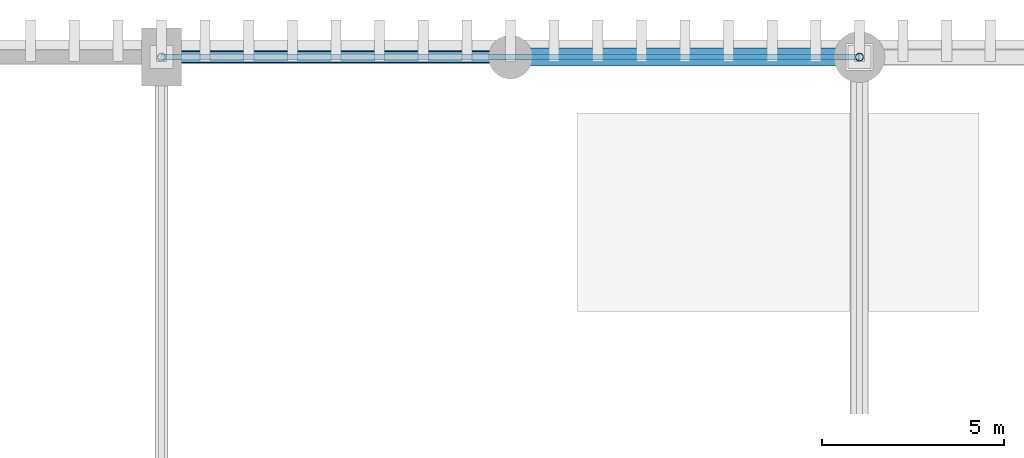
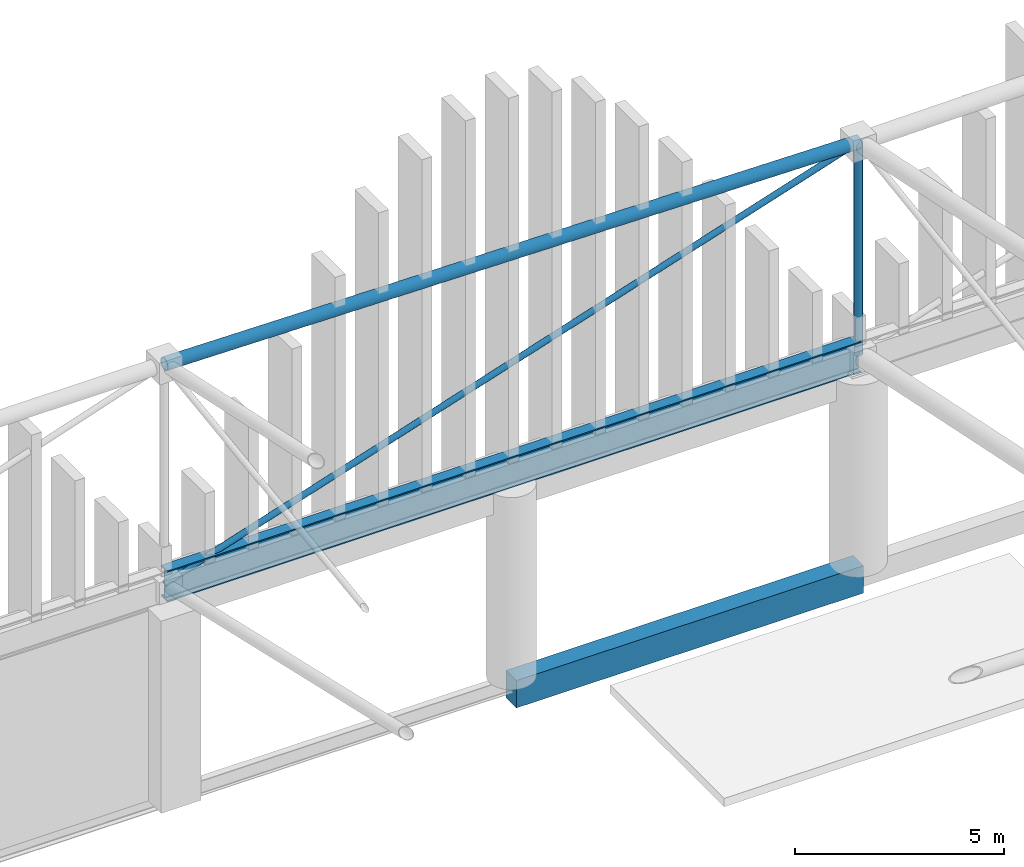
# One storey, part 128 of 193: 3 members, 2 beams.
"""IFC4 building model written with IfcOpenShell, lengths in metres."""

from ifc_helpers import new_model, si_unit, direction, frame, origin, origin_2d, place, context, subcontext, project, spatial, rectangle, hollow_circle, i_section, extrude, material, material_profile, profile_set, type_object, element, save


model = new_model("IFC4")

# Units and contexts
model_context = context("Model", 3, precision=1e-05, world=origin(), true_north=direction((0.0, 1.0)))
body_context = subcontext(model_context, "Body", "Model", "MODEL_VIEW")
ifc_project = project(units=[si_unit("LENGTHUNIT", "METRE"), si_unit("AREAUNIT", "SQUARE_METRE"), si_unit("VOLUMEUNIT", "CUBIC_METRE"), si_unit("PLANEANGLEUNIT", "RADIAN"), si_unit("MASSUNIT", "GRAM", prefix="KILO")], contexts=[model_context])

# Site, building, storey
site_placement = place(None, origin())
site = spatial("IfcSite", under=ifc_project, at=site_placement, CompositionType="ELEMENT")
building_placement = place(site_placement, origin())
building = spatial("IfcBuilding", under=site, at=building_placement, Name="Danafjord Basin Convention Centre", CompositionType="ELEMENT")
storey_placement = place(building_placement, frame((0.0, 0.0, 11.39990234375)))
storey = spatial("IfcBuildingStorey", under=building, at=storey_placement, Name="L02", CompositionType="ELEMENT", Elevation=11.39990234375)

# Beams
ifc_material_1 = material(Name="Steel S355", Category="steel")
ifc_material_profile_1 = material_profile(ifc_material_1, i_section(OverallWidth=0.300048828125, OverallDepth=0.89990234375, WebThickness=0.0185546875, FlangeThickness=0.034912109375, FilletRadius=0.030029296875, at=origin_2d()), Name="HEB 900")
ifc_profile_set_1 = profile_set([ifc_material_profile_1], Name="Steel S355")
beam_type_1 = type_object("IfcBeamType", Name="BEAM-BM-HEB900", PredefinedType="BEAM", material=ifc_profile_set_1)
beam_1_placement = place(storey_placement, frame((38.39990234375, 144.0, 6.050048828125), z_axis=(1.0, 0.0, 0.0), x_axis=(0.0, 1.0, 0.0)))
element("IfcBeam", 1, at=beam_1_placement, inside=storey, type_object=beam_type_1, Name="V1 space-frame perimeter ring girder", PredefinedType="BEAM", context=body_context, shape_type="SweptSolid", body=[
    extrude(i_section(OverallWidth=0.300048828125, OverallDepth=0.89990234375, WebThickness=0.0185546875, FlangeThickness=0.034912109375, FilletRadius=0.030029296875, at=origin_2d()), origin(), (0.0, 0.0, 1.0), 19.2001953125),
])
ifc_material_2 = material(Name="Precast concrete C45/55", Category="concrete")
ifc_material_profile_2 = material_profile(ifc_material_2, rectangle(XDim=0.5, YDim=0.800048828125, at=origin_2d()), Name="PCB 500x800")
ifc_profile_set_2 = profile_set([ifc_material_profile_2], Name="Precast concrete C45/55")
beam_type_2 = type_object("IfcBeamType", Name="BEAM-SP-PCB800", PredefinedType="SPANDREL", material=ifc_profile_set_2)
beam_2_placement = place(storey_placement, frame((48.0, 144.0, -0.39990234375), z_axis=(1.0, 0.0, 0.0), x_axis=(0.0, 1.0, 0.0)))
element("IfcBeam", 2, at=beam_2_placement, inside=storey, type_object=beam_type_2, Name="L02 girder SP-PCB800", PredefinedType="SPANDREL", context=body_context, shape_type="SweptSolid", body=[
    extrude(rectangle(XDim=0.5, YDim=0.800048828125, at=origin_2d()), origin(), (0.0, 0.0, 1.0), 9.60009765625),
])

# Members
ifc_material_profile_3 = material_profile(ifc_material_1, hollow_circle(Radius=0.177734375, WallThickness=0.01611328125, at=origin_2d()), Name="CHS 355.6x16.0")
ifc_profile_set_3 = profile_set([ifc_material_profile_3], Name="Steel S355")
member_type_1 = type_object("IfcMemberType", Name="MEM-CH-CHS355", PredefinedType="CHORD", material=ifc_profile_set_3)
member_1_placement = place(storey_placement, frame((38.39990234375, 144.0, 12.47509765625), z_axis=(0.999931284313, 0.0, -0.0117229114), x_axis=(0.0, 1.0, 0.0)))
element("IfcMember", 3, at=member_1_placement, inside=storey, type_object=member_type_1, Name="V1 roof truss longitudinal top chord", PredefinedType="CHORD", context=body_context, shape_type="SweptSolid", body=[
    extrude(hollow_circle(Radius=0.177734375, WallThickness=0.01611328125, at=origin_2d()), origin(), (0.0, 0.0, 1.0), 19.201416015625),
])
ifc_material_profile_4 = material_profile(ifc_material_1, hollow_circle(Radius=0.109619140625, WallThickness=0.010009765625, at=origin_2d()), Name="CHS 219.1x10.0")
ifc_profile_set_4 = profile_set([ifc_material_profile_4], Name="Steel S355")
member_type_2 = type_object("IfcMemberType", Name="MEM-ST-CHS219", PredefinedType="STRUT", material=ifc_profile_set_4)
member_2_placement = place(storey_placement, frame((57.60009765625, 144.0, 6.050048828125), z_axis=(0.0, 0.0, 1.0), x_axis=(1.0, 0.0, 0.0)))
element("IfcMember", 4, at=member_2_placement, inside=storey, type_object=member_type_2, Name="V1 roof truss vertical strut", PredefinedType="STRUT", context=body_context, shape_type="SweptSolid", body=[
    extrude(hollow_circle(Radius=0.109619140625, WallThickness=0.010009765625, at=origin_2d()), origin(), (0.0, 0.0, 1.0), 6.199951171875),
])
ifc_material_profile_5 = material_profile(ifc_material_1, hollow_circle(Radius=0.084228515625, WallThickness=0.008056640625, at=origin_2d()), Name="CHS 168.3x8.0")
ifc_profile_set_5 = profile_set([ifc_material_profile_5], Name="Steel S355")
member_type_3 = type_object("IfcMemberType", Name="MEM-WB-CHS168", PredefinedType="MEMBER", material=ifc_profile_set_5)
member_3_placement = place(storey_placement, frame((38.39990234375, 144.0, 6.050048828125), z_axis=(0.951616767954, 0.0, 0.307287368677), x_axis=(0.0, 1.0, 0.0)))
element("IfcMember", 5, at=member_3_placement, inside=storey, type_object=member_type_3, Name="V1 space-frame longitudinal web", PredefinedType="MEMBER", context=body_context, shape_type="SweptSolid", body=[
    extrude(hollow_circle(Radius=0.084228515625, WallThickness=0.008056640625, at=origin_2d()), origin(), (0.0, 0.0, 1.0), 20.176513671875),
])

save(model, "model.ifc")
